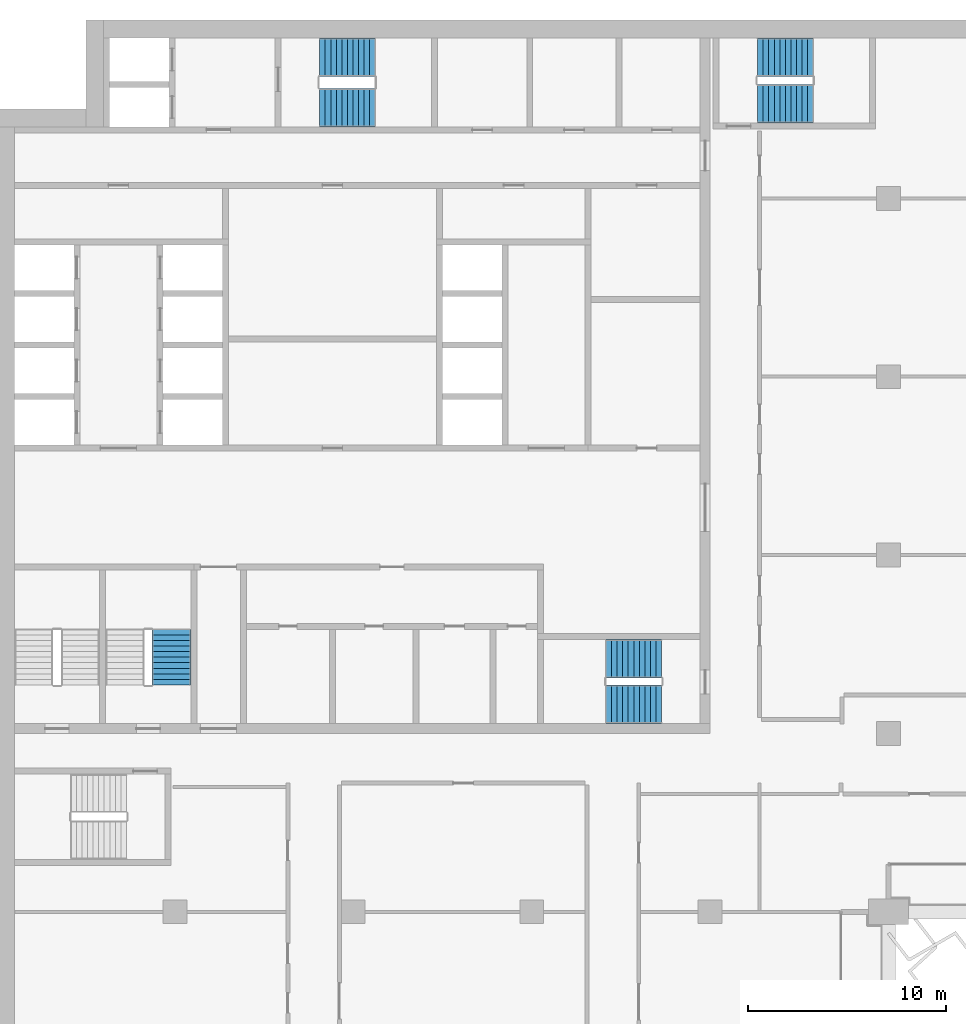
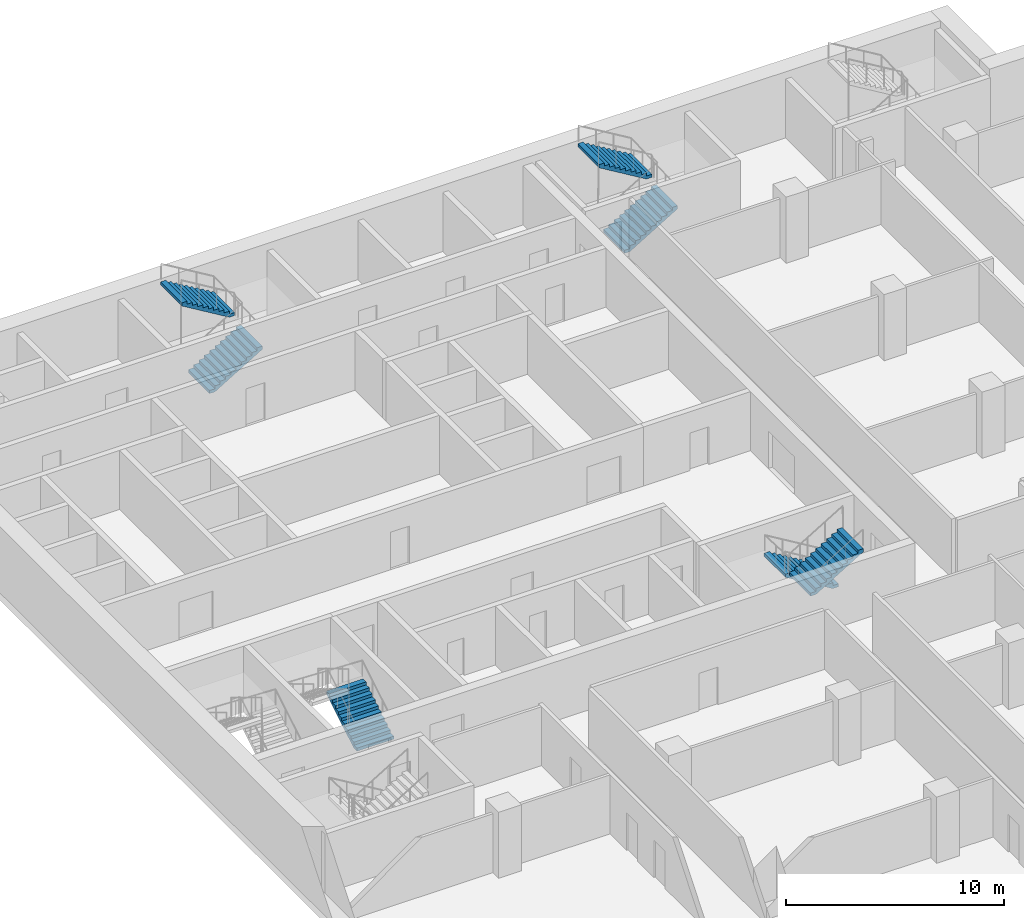
# One storey, part 16 of 22: 7 stair flights, 4 elements without a shape of their own.
"""IFC4 building model written with IfcOpenShell, lengths in metres."""

import ifcopenshell
import ifcopenshell.guid

model = None  # the IFC model being written
_history = None  # IfcOwnerHistory: only IFC2X3 demands one
_inside = {}  # id of a spatial element -> (the spatial element, [elements in it])
_under = {}  # id of a project, library or spatial element -> (it, [spatial elements below it])
_declared = {}  # id of a project -> (the project, [libraries it declares])
_typed = {}  # id of a type object -> (the type object, [elements of that type])
_made_of = {}  # id of a material, layer set ... -> (it, [elements and type objects made of it])


def new_model(schema):
    """Start an empty IFC model of exactly this schema.

    Asked for "IFC4X3", IfcOpenShell would pick the latest addendum, in which some entities
    have other attributes; the version numbers below select the first issue.
    IFC2X3 requires an IfcOwnerHistory on every rooted entity: one is made here for all.
    """
    global model, _history
    if schema == "IFC4X3":
        model = ifcopenshell.file(schema_version=(4, 3, 0, 0))
    else:
        model = ifcopenshell.file(schema=schema)
    _inside.clear()
    _under.clear()
    _declared.clear()
    _typed.clear()
    _made_of.clear()
    _history = None
    if model.schema == "IFC2X3":
        org = make("IfcOrganization", Name="unknown")
        user = make(
            "IfcPersonAndOrganization",
            ThePerson=make("IfcPerson", FamilyName="unknown"),
            TheOrganization=org,
        )
        app = make(
            "IfcApplication",
            ApplicationDeveloper=org,
            Version="unknown",
            ApplicationFullName="unknown",
            ApplicationIdentifier="unknown",
        )
        _history = make(
            "IfcOwnerHistory",
            OwningUser=user,
            OwningApplication=app,
            ChangeAction="ADDED",
            CreationDate=0,
        )
    return model


def make(cls, **values):
    """One entity of the class cls with the attributes given. An attribute that is None is left unset."""
    return model.create_entity(
        cls, **{name: value for name, value in values.items() if value is not None}
    )


def rooted(cls, **values):
    """An entity with a GlobalId (a new one), such as an element, a storey or a relation."""
    return make(cls, GlobalId=ifcopenshell.guid.new(), OwnerHistory=_history, **values)


def si_unit(unit_type, name, prefix=None):
    """IfcSIUnit, for example si_unit("LENGTHUNIT", "METRE", prefix="MILLI")."""
    return make("IfcSIUnit", UnitType=unit_type, Prefix=prefix, Name=name)


def assignment(units):
    """IfcUnitAssignment: the units of a project."""
    return None if units is None else make("IfcUnitAssignment", Units=units)


def point(xyz):
    """IfcCartesianPoint."""
    return None if xyz is None else make("IfcCartesianPoint", Coordinates=xyz)


def direction(xyz):
    """IfcDirection."""
    return None if xyz is None else make("IfcDirection", DirectionRatios=xyz)


def frame(location, z_axis=None, x_axis=None):
    """IfcAxis2Placement3D, a coordinate frame: its origin and axes. An axis left out is left unset."""
    return make(
        "IfcAxis2Placement3D",
        Location=point(location),
        Axis=direction(z_axis),
        RefDirection=direction(x_axis),
    )


def origin():
    """The frame at (0, 0, 0) with its axes left unset."""
    return frame((0.0, 0.0, 0.0))


def place(relative_to, where):
    """IfcLocalPlacement: puts the frame where relative to a parent placement (None: the world)."""
    return make(
        "IfcLocalPlacement", PlacementRelTo=relative_to, RelativePlacement=where
    )


def context(
    kind, dimensions, precision=None, world=None, true_north=None, identifier=None
):
    """IfcGeometricRepresentationContext, for example the 3D "Model" context."""
    return make(
        "IfcGeometricRepresentationContext",
        ContextIdentifier=identifier,
        ContextType=kind,
        CoordinateSpaceDimension=dimensions,
        Precision=precision,
        WorldCoordinateSystem=world,
        TrueNorth=true_north,
    )


def subcontext(parent, identifier, kind, view, scale=None):
    """IfcGeometricRepresentationSubContext, for example "Body" below "Model"."""
    return make(
        "IfcGeometricRepresentationSubContext",
        ContextIdentifier=identifier,
        ContextType=kind,
        ParentContext=parent,
        TargetScale=scale,
        TargetView=view,
    )


def project(units=None, contexts=None):
    """IfcProject with its units and contexts."""
    return rooted(
        "IfcProject",
        Name="project",
        RepresentationContexts=contexts,
        UnitsInContext=assignment(units),
    )


def spatial(cls, under=None, at=None, **own):
    """A site, building, storey or space (cls), placed at a placement, below another one or the project."""
    s = rooted(cls, ObjectPlacement=at, **own)
    if under is not None:
        _under.setdefault(under.id(), (under, []))[1].append(s)
    return s


def polyline(points):
    """IfcPolyline through the points."""
    return make("IfcPolyline", Points=[point(p) for p in points])


def outline(outer, holes=None, kind="AREA"):
    """IfcArbitraryClosedProfileDef: a profile drawn as a closed curve; with holes, ...WithVoids."""
    if holes is None:
        return make("IfcArbitraryClosedProfileDef", ProfileType=kind, OuterCurve=outer)
    return make(
        "IfcArbitraryProfileDefWithVoids",
        ProfileType=kind,
        OuterCurve=outer,
        InnerCurves=holes,
    )


def extrude(swept, where, along, depth):
    """IfcExtrudedAreaSolid: the profile swept, set in the frame where, extruded along a direction by depth."""
    return make(
        "IfcExtrudedAreaSolid",
        SweptArea=swept,
        Position=where,
        ExtrudedDirection=direction(along),
        Depth=depth,
    )


def shape(context_of_items, identifier, shape_type, items):
    """IfcShapeRepresentation: the items that make up one representation, for example the "Body"."""
    return make(
        "IfcShapeRepresentation",
        ContextOfItems=context_of_items,
        RepresentationIdentifier=identifier,
        RepresentationType=shape_type,
        Items=items,
    )


def material(Name=None, Category=None):
    """IfcMaterial."""
    return make("IfcMaterial", Name=Name, Category=Category)


def made_of(thing, what):
    """Note that an element or type object is made of a material, layer set ...; save() writes the relation."""
    if what is not None:
        _made_of.setdefault(what.id(), (what, []))[1].append(thing)
    return thing


def type_object(cls, material=None, **own):
    """A type object (cls), such as IfcWallType, which elements share."""
    return made_of(rooted(cls, **own), material)


def element(
    cls,
    number,
    at=None,
    inside=None,
    cuts=None,
    type_object=None,
    material=None,
    context=None,
    identifier="Body",
    shape_type=None,
    held_by="IfcProductDefinitionShape",
    body=None,
    shapes=None,
    **own,
):
    """One element of the class cls, such as IfcWall. Its Tag is "e" and its number.

    at: its placement. inside: the storey or other place that contains it. cuts: it is an
    opening in that element (IfcRelVoidsElement). A single representation is given by context,
    identifier, shape_type and body (its items); several are given by shapes. held_by: the class
    of the entity that holds the representations. save() writes the other relations.
    """
    e = rooted(cls, Tag="e%d" % number, ObjectPlacement=at, **own)
    if body is not None:
        shapes = [shape(context, identifier, shape_type, body)]
    if shapes is not None:
        e.Representation = make(held_by, Representations=shapes)
    if inside is not None:
        _inside.setdefault(inside.id(), (inside, []))[1].append(e)
    if cuts is not None:
        rooted(
            "IfcRelVoidsElement", RelatingBuildingElement=cuts, RelatedOpeningElement=e
        )
    if type_object is not None:
        _typed.setdefault(type_object.id(), (type_object, []))[1].append(e)
    return made_of(e, material)


def aggregate(whole, parts):
    """IfcRelAggregates: a whole, such as a stair, and the parts it consists of."""
    return rooted("IfcRelAggregates", RelatingObject=whole, RelatedObjects=parts)


def save(model, path):
    """Write the relations noted so far, then the file.

    IfcRelAggregates (storeys below a building ...), IfcRelContainedInSpatialStructure (elements
    in a storey), IfcRelDefinesByType, IfcRelAssociatesMaterial and IfcRelDeclares: one each for
    every whole, place, type object, material and project.
    """
    for whole, parts in _under.values():
        aggregate(whole, parts)
    for where, things in _inside.values():
        rooted(
            "IfcRelContainedInSpatialStructure",
            RelatedElements=things,
            RelatingStructure=where,
        )
    for kind, things in _typed.values():
        rooted("IfcRelDefinesByType", RelatedObjects=things, RelatingType=kind)
    for what, things in _made_of.values():
        rooted("IfcRelAssociatesMaterial", RelatedObjects=things, RelatingMaterial=what)
    for by, libraries in _declared.values():
        rooted("IfcRelDeclares", RelatingContext=by, RelatedDefinitions=libraries)
    model.write(path)


model = new_model("IFC4")

# Units and contexts
model_context = context("Model", 3, precision=1e-05, world=origin(), true_north=direction((0.0, 1.0)))
body_context = subcontext(model_context, "Body", "Model", "MODEL_VIEW")
ifc_project = project(units=[si_unit("LENGTHUNIT", "METRE"), si_unit("AREAUNIT", "SQUARE_METRE"), si_unit("VOLUMEUNIT", "CUBIC_METRE"), si_unit("PLANEANGLEUNIT", "RADIAN"), si_unit("MASSUNIT", "GRAM", prefix="KILO")], contexts=[model_context])

# Site, building, storey
site_placement = place(None, origin())
site = spatial("IfcSite", under=ifc_project, at=site_placement, CompositionType="ELEMENT")
building_placement = place(site_placement, origin())
building = spatial("IfcBuilding", under=site, at=building_placement, Name="Hunhe Ridgeline Campus", CompositionType="ELEMENT")
storey_placement = place(building_placement, frame((0.0, 0.0, 163.39990234375)))
storey = spatial("IfcBuildingStorey", under=building, at=storey_placement, Name="L41", CompositionType="ELEMENT", Elevation=163.39990234375)

# Stair, stair flights
ifc_material = material(Name="Concrete C40", Category="concrete")
stair_type = type_object("IfcStairType", Name="Reinforced concrete dog-leg stair 1950 Concrete C40", PredefinedType="HALF_TURN_STAIR", material=ifc_material)
stair_1_placement = place(storey_placement, origin())
stair_1 = element("IfcStair", 1, at=stair_1_placement, inside=storey, type_object=stair_type, Name="L41 S1", PredefinedType="HALF_TURN_STAIR")
stair_flight_type = type_object("IfcStairFlightType", Name="Reinforced concrete stair flight 1950 Concrete C40", PredefinedType="STRAIGHT", material=ifc_material)
stair_flight_1_placement = place(storey_placement, frame((16.300048828125, 94.574951171875, 0.0), z_axis=(0.0, 0.0, 1.0), x_axis=(1.0, 0.0, 0.0)))
stair_flight_1 = element("IfcStairFlight", 2, at=stair_flight_1_placement, type_object=stair_flight_type, Name="ST1 flight 1", NumberOfRisers=11, NumberOfTreads=10, PredefinedType="STRAIGHT", RiserHeight=0.168181818, TreadLength=0.28, context=body_context, shape_type="SweptSolid", body=[
    extrude(outline(polyline([(0.0, 0.0), (0.0, 0.168212890625), (0.280029296875, 0.168212890625), (0.280029296875, 0.33642578125), (0.56005859375, 0.33642578125), (0.56005859375, 0.504638671875), (0.840087890625, 0.504638671875), (0.840087890625, 0.672607421875), (1.1201171875, 0.672607421875), (1.1201171875, 0.8408203125), (1.39990234375, 0.8408203125), (1.39990234375, 1.009033203125), (1.679931640625, 1.009033203125), (1.679931640625, 1.17724609375), (1.9599609375, 1.17724609375), (1.9599609375, 1.345458984375), (2.239990234375, 1.345458984375), (2.239990234375, 1.513671875), (2.52001953125, 1.513671875), (2.52001953125, 1.681884765625), (2.800048828125, 1.681884765625), (2.800048828125, 1.85009765625), (2.800048828125, 1.5068359375), (0.291015625, 0.0), (0.0, 0.0)])), frame((0.0, 0.97509765625, 0.0), z_axis=(0.0, -1.0, 0.0), x_axis=(1.0, 0.0, 0.0)), (0.0, 0.0, 1.0), 1.949951171875),
    extrude(outline(polyline([(0.030029296875, 0.030029296875), (0.030029296875, 0.13818359375), (0.31005859375, 0.13818359375), (0.31005859375, 0.306396484375), (0.590087890625, 0.306396484375), (0.590087890625, 0.474609375), (0.8701171875, 0.474609375), (0.8701171875, 0.642578125), (1.14990234375, 0.642578125), (1.14990234375, 0.810791015625), (1.429931640625, 0.810791015625), (1.429931640625, 0.97900390625), (1.7099609375, 0.97900390625), (1.7099609375, 1.147216796875), (1.989990234375, 1.147216796875), (1.989990234375, 1.3154296875), (2.27001953125, 1.3154296875), (2.27001953125, 1.483642578125), (2.550048828125, 1.483642578125), (2.550048828125, 1.65185546875), (2.77001953125, 1.65185546875), (2.77001953125, 1.52392578125), (0.28271484375, 0.030029296875), (0.030029296875, 0.030029296875)])), frame((0.0, -0.070068359375, 0.0), z_axis=(0.0, -1.0, 0.0), x_axis=(1.0, 0.0, 0.0)), (0.0, 0.0, 1.0), 0.019775390625),
    extrude(outline(polyline([(0.030029296875, 0.030029296875), (0.030029296875, 0.13818359375), (0.31005859375, 0.13818359375), (0.31005859375, 0.306396484375), (0.590087890625, 0.306396484375), (0.590087890625, 0.474609375), (0.8701171875, 0.474609375), (0.8701171875, 0.642578125), (1.14990234375, 0.642578125), (1.14990234375, 0.810791015625), (1.429931640625, 0.810791015625), (1.429931640625, 0.97900390625), (1.7099609375, 0.97900390625), (1.7099609375, 1.147216796875), (1.989990234375, 1.147216796875), (1.989990234375, 1.3154296875), (2.27001953125, 1.3154296875), (2.27001953125, 1.483642578125), (2.550048828125, 1.483642578125), (2.550048828125, 1.65185546875), (2.77001953125, 1.65185546875), (2.77001953125, 1.52392578125), (0.28271484375, 0.030029296875), (0.030029296875, 0.030029296875)])), frame((0.0, 0.010009765625, 0.0), z_axis=(0.0, -1.0, 0.0), x_axis=(1.0, 0.0, 0.0)), (0.0, 0.0, 1.0), 0.019775390625),
    extrude(outline(polyline([(0.030029296875, 0.030029296875), (0.030029296875, 0.13818359375), (0.31005859375, 0.13818359375), (0.31005859375, 0.306396484375), (0.590087890625, 0.306396484375), (0.590087890625, 0.474609375), (0.8701171875, 0.474609375), (0.8701171875, 0.642578125), (1.14990234375, 0.642578125), (1.14990234375, 0.810791015625), (1.429931640625, 0.810791015625), (1.429931640625, 0.97900390625), (1.7099609375, 0.97900390625), (1.7099609375, 1.147216796875), (1.989990234375, 1.147216796875), (1.989990234375, 1.3154296875), (2.27001953125, 1.3154296875), (2.27001953125, 1.483642578125), (2.550048828125, 1.483642578125), (2.550048828125, 1.65185546875), (2.77001953125, 1.65185546875), (2.77001953125, 1.52392578125), (0.28271484375, 0.030029296875), (0.030029296875, 0.030029296875)])), frame((0.0, 0.090087890625, 0.0), z_axis=(0.0, -1.0, 0.0), x_axis=(1.0, 0.0, 0.0)), (0.0, 0.0, 1.0), 0.019775390625),
])
stair_flight_2_placement = place(storey_placement, frame((19.10009765625, 97.125, 1.85009765625), z_axis=(0.0, 0.0, 1.0), x_axis=(-1.0, 0.0, 0.0)))
stair_flight_2 = element("IfcStairFlight", 3, at=stair_flight_2_placement, type_object=stair_flight_type, Name="ST1 flight 2", NumberOfRisers=11, NumberOfTreads=10, PredefinedType="STRAIGHT", RiserHeight=0.168181818, TreadLength=0.28, context=body_context, shape_type="SweptSolid", body=[
    extrude(outline(polyline([(0.0, 0.0), (0.0, 0.168212890625), (0.280029296875, 0.168212890625), (0.280029296875, 0.33642578125), (0.56005859375, 0.33642578125), (0.56005859375, 0.504638671875), (0.840087890625, 0.504638671875), (0.840087890625, 0.672607421875), (1.1201171875, 0.672607421875), (1.1201171875, 0.8408203125), (1.39990234375, 0.8408203125), (1.39990234375, 1.009033203125), (1.679931640625, 1.009033203125), (1.679931640625, 1.17724609375), (1.9599609375, 1.17724609375), (1.9599609375, 1.345458984375), (2.239990234375, 1.345458984375), (2.239990234375, 1.513671875), (2.52001953125, 1.513671875), (2.52001953125, 1.681884765625), (2.800048828125, 1.681884765625), (2.800048828125, 1.85009765625), (2.800048828125, 1.5068359375), (0.291015625, 0.0), (0.0, 0.0)])), frame((0.0, 0.97509765625, 0.0), z_axis=(0.0, -1.0, 0.0), x_axis=(1.0, 0.0, 0.0)), (0.0, 0.0, 1.0), 1.949951171875),
    extrude(outline(polyline([(0.030029296875, 0.030029296875), (0.030029296875, 0.13818359375), (0.31005859375, 0.13818359375), (0.31005859375, 0.306396484375), (0.590087890625, 0.306396484375), (0.590087890625, 0.474609375), (0.8701171875, 0.474609375), (0.8701171875, 0.642578125), (1.14990234375, 0.642578125), (1.14990234375, 0.810791015625), (1.429931640625, 0.810791015625), (1.429931640625, 0.97900390625), (1.7099609375, 0.97900390625), (1.7099609375, 1.147216796875), (1.989990234375, 1.147216796875), (1.989990234375, 1.3154296875), (2.27001953125, 1.3154296875), (2.27001953125, 1.483642578125), (2.550048828125, 1.483642578125), (2.550048828125, 1.65185546875), (2.77001953125, 1.65185546875), (2.77001953125, 1.52392578125), (0.28271484375, 0.030029296875), (0.030029296875, 0.030029296875)])), frame((0.0, -0.070068359375, 0.0), z_axis=(0.0, -1.0, 0.0), x_axis=(1.0, 0.0, 0.0)), (0.0, 0.0, 1.0), 0.019775390625),
    extrude(outline(polyline([(0.030029296875, 0.030029296875), (0.030029296875, 0.13818359375), (0.31005859375, 0.13818359375), (0.31005859375, 0.306396484375), (0.590087890625, 0.306396484375), (0.590087890625, 0.474609375), (0.8701171875, 0.474609375), (0.8701171875, 0.642578125), (1.14990234375, 0.642578125), (1.14990234375, 0.810791015625), (1.429931640625, 0.810791015625), (1.429931640625, 0.97900390625), (1.7099609375, 0.97900390625), (1.7099609375, 1.147216796875), (1.989990234375, 1.147216796875), (1.989990234375, 1.3154296875), (2.27001953125, 1.3154296875), (2.27001953125, 1.483642578125), (2.550048828125, 1.483642578125), (2.550048828125, 1.65185546875), (2.77001953125, 1.65185546875), (2.77001953125, 1.52392578125), (0.28271484375, 0.030029296875), (0.030029296875, 0.030029296875)])), frame((0.0, 0.010009765625, 0.0), z_axis=(0.0, -1.0, 0.0), x_axis=(1.0, 0.0, 0.0)), (0.0, 0.0, 1.0), 0.019775390625),
    extrude(outline(polyline([(0.030029296875, 0.030029296875), (0.030029296875, 0.13818359375), (0.31005859375, 0.13818359375), (0.31005859375, 0.306396484375), (0.590087890625, 0.306396484375), (0.590087890625, 0.474609375), (0.8701171875, 0.474609375), (0.8701171875, 0.642578125), (1.14990234375, 0.642578125), (1.14990234375, 0.810791015625), (1.429931640625, 0.810791015625), (1.429931640625, 0.97900390625), (1.7099609375, 0.97900390625), (1.7099609375, 1.147216796875), (1.989990234375, 1.147216796875), (1.989990234375, 1.3154296875), (2.27001953125, 1.3154296875), (2.27001953125, 1.483642578125), (2.550048828125, 1.483642578125), (2.550048828125, 1.65185546875), (2.77001953125, 1.65185546875), (2.77001953125, 1.52392578125), (0.28271484375, 0.030029296875), (0.030029296875, 0.030029296875)])), frame((0.0, 0.090087890625, 0.0), z_axis=(0.0, -1.0, 0.0), x_axis=(1.0, 0.0, 0.0)), (0.0, 0.0, 1.0), 0.019775390625),
])
aggregate(stair_1, [stair_flight_1, stair_flight_2])

stair_2_placement = place(storey_placement, origin())
stair_2 = element("IfcStair", 4, at=stair_2_placement, inside=storey, type_object=stair_type, Name="L41 S2", PredefinedType="HALF_TURN_STAIR")
stair_flight_3_placement = place(storey_placement, frame((33.550048828125, 66.77490234375, 0.0), z_axis=(0.0, 0.0, 1.0), x_axis=(-1.0, 0.0, 0.0)))
stair_flight_3 = element("IfcStairFlight", 5, at=stair_flight_3_placement, type_object=stair_flight_type, Name="ST2 flight 1", NumberOfRisers=11, NumberOfTreads=10, PredefinedType="STRAIGHT", RiserHeight=0.168181818, TreadLength=0.28, context=body_context, shape_type="SweptSolid", body=[
    extrude(outline(polyline([(0.0, 0.0), (0.0, 0.168212890625), (0.280029296875, 0.168212890625), (0.280029296875, 0.33642578125), (0.56005859375, 0.33642578125), (0.56005859375, 0.504638671875), (0.840087890625, 0.504638671875), (0.840087890625, 0.672607421875), (1.1201171875, 0.672607421875), (1.1201171875, 0.8408203125), (1.39990234375, 0.8408203125), (1.39990234375, 1.009033203125), (1.679931640625, 1.009033203125), (1.679931640625, 1.17724609375), (1.9599609375, 1.17724609375), (1.9599609375, 1.345458984375), (2.239990234375, 1.345458984375), (2.239990234375, 1.513671875), (2.52001953125, 1.513671875), (2.52001953125, 1.681884765625), (2.800048828125, 1.681884765625), (2.800048828125, 1.85009765625), (2.800048828125, 1.5068359375), (0.291015625, 0.0), (0.0, 0.0)])), frame((0.0, 0.97509765625, 0.0), z_axis=(0.0, -1.0, 0.0), x_axis=(1.0, 0.0, 0.0)), (0.0, 0.0, 1.0), 1.949951171875),
    extrude(outline(polyline([(0.030029296875, 0.030029296875), (0.030029296875, 0.13818359375), (0.31005859375, 0.13818359375), (0.31005859375, 0.306396484375), (0.590087890625, 0.306396484375), (0.590087890625, 0.474609375), (0.8701171875, 0.474609375), (0.8701171875, 0.642578125), (1.14990234375, 0.642578125), (1.14990234375, 0.810791015625), (1.429931640625, 0.810791015625), (1.429931640625, 0.97900390625), (1.7099609375, 0.97900390625), (1.7099609375, 1.147216796875), (1.989990234375, 1.147216796875), (1.989990234375, 1.3154296875), (2.27001953125, 1.3154296875), (2.27001953125, 1.483642578125), (2.550048828125, 1.483642578125), (2.550048828125, 1.65185546875), (2.77001953125, 1.65185546875), (2.77001953125, 1.52392578125), (0.28271484375, 0.030029296875), (0.030029296875, 0.030029296875)])), frame((0.0, -0.070068359375, 0.0), z_axis=(0.0, -1.0, 0.0), x_axis=(1.0, 0.0, 0.0)), (0.0, 0.0, 1.0), 0.019775390625),
    extrude(outline(polyline([(0.030029296875, 0.030029296875), (0.030029296875, 0.13818359375), (0.31005859375, 0.13818359375), (0.31005859375, 0.306396484375), (0.590087890625, 0.306396484375), (0.590087890625, 0.474609375), (0.8701171875, 0.474609375), (0.8701171875, 0.642578125), (1.14990234375, 0.642578125), (1.14990234375, 0.810791015625), (1.429931640625, 0.810791015625), (1.429931640625, 0.97900390625), (1.7099609375, 0.97900390625), (1.7099609375, 1.147216796875), (1.989990234375, 1.147216796875), (1.989990234375, 1.3154296875), (2.27001953125, 1.3154296875), (2.27001953125, 1.483642578125), (2.550048828125, 1.483642578125), (2.550048828125, 1.65185546875), (2.77001953125, 1.65185546875), (2.77001953125, 1.52392578125), (0.28271484375, 0.030029296875), (0.030029296875, 0.030029296875)])), frame((0.0, 0.010009765625, 0.0), z_axis=(0.0, -1.0, 0.0), x_axis=(1.0, 0.0, 0.0)), (0.0, 0.0, 1.0), 0.019775390625),
    extrude(outline(polyline([(0.030029296875, 0.030029296875), (0.030029296875, 0.13818359375), (0.31005859375, 0.13818359375), (0.31005859375, 0.306396484375), (0.590087890625, 0.306396484375), (0.590087890625, 0.474609375), (0.8701171875, 0.474609375), (0.8701171875, 0.642578125), (1.14990234375, 0.642578125), (1.14990234375, 0.810791015625), (1.429931640625, 0.810791015625), (1.429931640625, 0.97900390625), (1.7099609375, 0.97900390625), (1.7099609375, 1.147216796875), (1.989990234375, 1.147216796875), (1.989990234375, 1.3154296875), (2.27001953125, 1.3154296875), (2.27001953125, 1.483642578125), (2.550048828125, 1.483642578125), (2.550048828125, 1.65185546875), (2.77001953125, 1.65185546875), (2.77001953125, 1.52392578125), (0.28271484375, 0.030029296875), (0.030029296875, 0.030029296875)])), frame((0.0, 0.090087890625, 0.0), z_axis=(0.0, -1.0, 0.0), x_axis=(1.0, 0.0, 0.0)), (0.0, 0.0, 1.0), 0.019775390625),
])
stair_flight_4_placement = place(storey_placement, frame((30.75, 64.47509765625, 1.85009765625), z_axis=(0.0, 0.0, 1.0), x_axis=(1.0, 0.0, 0.0)))
stair_flight_4 = element("IfcStairFlight", 6, at=stair_flight_4_placement, type_object=stair_flight_type, Name="ST2 flight 2", NumberOfRisers=11, NumberOfTreads=10, PredefinedType="STRAIGHT", RiserHeight=0.168181818, TreadLength=0.28, context=body_context, shape_type="SweptSolid", body=[
    extrude(outline(polyline([(0.0, 0.0), (0.0, 0.168212890625), (0.280029296875, 0.168212890625), (0.280029296875, 0.33642578125), (0.56005859375, 0.33642578125), (0.56005859375, 0.504638671875), (0.840087890625, 0.504638671875), (0.840087890625, 0.672607421875), (1.1201171875, 0.672607421875), (1.1201171875, 0.8408203125), (1.39990234375, 0.8408203125), (1.39990234375, 1.009033203125), (1.679931640625, 1.009033203125), (1.679931640625, 1.17724609375), (1.9599609375, 1.17724609375), (1.9599609375, 1.345458984375), (2.239990234375, 1.345458984375), (2.239990234375, 1.513671875), (2.52001953125, 1.513671875), (2.52001953125, 1.681884765625), (2.800048828125, 1.681884765625), (2.800048828125, 1.85009765625), (2.800048828125, 1.5068359375), (0.291015625, 0.0), (0.0, 0.0)])), frame((0.0, 0.97509765625, 0.0), z_axis=(0.0, -1.0, 0.0), x_axis=(1.0, 0.0, 0.0)), (0.0, 0.0, 1.0), 1.949951171875),
    extrude(outline(polyline([(0.030029296875, 0.030029296875), (0.030029296875, 0.13818359375), (0.31005859375, 0.13818359375), (0.31005859375, 0.306396484375), (0.590087890625, 0.306396484375), (0.590087890625, 0.474609375), (0.8701171875, 0.474609375), (0.8701171875, 0.642578125), (1.14990234375, 0.642578125), (1.14990234375, 0.810791015625), (1.429931640625, 0.810791015625), (1.429931640625, 0.97900390625), (1.7099609375, 0.97900390625), (1.7099609375, 1.147216796875), (1.989990234375, 1.147216796875), (1.989990234375, 1.3154296875), (2.27001953125, 1.3154296875), (2.27001953125, 1.483642578125), (2.550048828125, 1.483642578125), (2.550048828125, 1.65185546875), (2.77001953125, 1.65185546875), (2.77001953125, 1.52392578125), (0.28271484375, 0.030029296875), (0.030029296875, 0.030029296875)])), frame((0.0, -0.070068359375, 0.0), z_axis=(0.0, -1.0, 0.0), x_axis=(1.0, 0.0, 0.0)), (0.0, 0.0, 1.0), 0.019775390625),
    extrude(outline(polyline([(0.030029296875, 0.030029296875), (0.030029296875, 0.13818359375), (0.31005859375, 0.13818359375), (0.31005859375, 0.306396484375), (0.590087890625, 0.306396484375), (0.590087890625, 0.474609375), (0.8701171875, 0.474609375), (0.8701171875, 0.642578125), (1.14990234375, 0.642578125), (1.14990234375, 0.810791015625), (1.429931640625, 0.810791015625), (1.429931640625, 0.97900390625), (1.7099609375, 0.97900390625), (1.7099609375, 1.147216796875), (1.989990234375, 1.147216796875), (1.989990234375, 1.3154296875), (2.27001953125, 1.3154296875), (2.27001953125, 1.483642578125), (2.550048828125, 1.483642578125), (2.550048828125, 1.65185546875), (2.77001953125, 1.65185546875), (2.77001953125, 1.52392578125), (0.28271484375, 0.030029296875), (0.030029296875, 0.030029296875)])), frame((0.0, 0.010009765625, 0.0), z_axis=(0.0, -1.0, 0.0), x_axis=(1.0, 0.0, 0.0)), (0.0, 0.0, 1.0), 0.019775390625),
    extrude(outline(polyline([(0.030029296875, 0.030029296875), (0.030029296875, 0.13818359375), (0.31005859375, 0.13818359375), (0.31005859375, 0.306396484375), (0.590087890625, 0.306396484375), (0.590087890625, 0.474609375), (0.8701171875, 0.474609375), (0.8701171875, 0.642578125), (1.14990234375, 0.642578125), (1.14990234375, 0.810791015625), (1.429931640625, 0.810791015625), (1.429931640625, 0.97900390625), (1.7099609375, 0.97900390625), (1.7099609375, 1.147216796875), (1.989990234375, 1.147216796875), (1.989990234375, 1.3154296875), (2.27001953125, 1.3154296875), (2.27001953125, 1.483642578125), (2.550048828125, 1.483642578125), (2.550048828125, 1.65185546875), (2.77001953125, 1.65185546875), (2.77001953125, 1.52392578125), (0.28271484375, 0.030029296875), (0.030029296875, 0.030029296875)])), frame((0.0, 0.090087890625, 0.0), z_axis=(0.0, -1.0, 0.0), x_axis=(1.0, 0.0, 0.0)), (0.0, 0.0, 1.0), 0.019775390625),
])
aggregate(stair_2, [stair_flight_3, stair_flight_4])

# Stair, stair flight
stair_3_placement = place(storey_placement, origin())
stair_3 = element("IfcStair", 7, at=stair_3_placement, inside=storey, type_object=stair_type, Name="L41 S4", PredefinedType="HALF_TURN_STAIR")
stair_flight_5_placement = place(storey_placement, frame((8.824951171875, 65.449951171875, 0.0), z_axis=(0.0, 0.0, 1.0), x_axis=(0.0, 1.0, 0.0)))
stair_flight_5 = element("IfcStairFlight", 8, at=stair_flight_5_placement, type_object=stair_flight_type, Name="ST4 flight 1", NumberOfRisers=11, NumberOfTreads=10, PredefinedType="STRAIGHT", RiserHeight=0.168181818, TreadLength=0.28, context=body_context, shape_type="SweptSolid", body=[
    extrude(outline(polyline([(0.0, 0.0), (0.0, 0.168212890625), (0.280029296875, 0.168212890625), (0.280029296875, 0.33642578125), (0.56005859375, 0.33642578125), (0.56005859375, 0.504638671875), (0.840087890625, 0.504638671875), (0.840087890625, 0.672607421875), (1.1201171875, 0.672607421875), (1.1201171875, 0.8408203125), (1.39990234375, 0.8408203125), (1.39990234375, 1.009033203125), (1.679931640625, 1.009033203125), (1.679931640625, 1.17724609375), (1.9599609375, 1.17724609375), (1.9599609375, 1.345458984375), (2.239990234375, 1.345458984375), (2.239990234375, 1.513671875), (2.52001953125, 1.513671875), (2.52001953125, 1.681884765625), (2.800048828125, 1.681884765625), (2.800048828125, 1.85009765625), (2.800048828125, 1.5068359375), (0.291015625, 0.0), (0.0, 0.0)])), frame((0.0, 0.97509765625, 0.0), z_axis=(0.0, -1.0, 0.0), x_axis=(1.0, 0.0, 0.0)), (0.0, 0.0, 1.0), 1.949951171875),
    extrude(outline(polyline([(0.030029296875, 0.030029296875), (0.030029296875, 0.13818359375), (0.31005859375, 0.13818359375), (0.31005859375, 0.306396484375), (0.590087890625, 0.306396484375), (0.590087890625, 0.474609375), (0.8701171875, 0.474609375), (0.8701171875, 0.642578125), (1.14990234375, 0.642578125), (1.14990234375, 0.810791015625), (1.429931640625, 0.810791015625), (1.429931640625, 0.97900390625), (1.7099609375, 0.97900390625), (1.7099609375, 1.147216796875), (1.989990234375, 1.147216796875), (1.989990234375, 1.3154296875), (2.27001953125, 1.3154296875), (2.27001953125, 1.483642578125), (2.550048828125, 1.483642578125), (2.550048828125, 1.65185546875), (2.77001953125, 1.65185546875), (2.77001953125, 1.52392578125), (0.28271484375, 0.030029296875), (0.030029296875, 0.030029296875)])), frame((0.0, -0.070068359375, 0.0), z_axis=(0.0, -1.0, 0.0), x_axis=(1.0, 0.0, 0.0)), (0.0, 0.0, 1.0), 0.019775390625),
    extrude(outline(polyline([(0.030029296875, 0.030029296875), (0.030029296875, 0.13818359375), (0.31005859375, 0.13818359375), (0.31005859375, 0.306396484375), (0.590087890625, 0.306396484375), (0.590087890625, 0.474609375), (0.8701171875, 0.474609375), (0.8701171875, 0.642578125), (1.14990234375, 0.642578125), (1.14990234375, 0.810791015625), (1.429931640625, 0.810791015625), (1.429931640625, 0.97900390625), (1.7099609375, 0.97900390625), (1.7099609375, 1.147216796875), (1.989990234375, 1.147216796875), (1.989990234375, 1.3154296875), (2.27001953125, 1.3154296875), (2.27001953125, 1.483642578125), (2.550048828125, 1.483642578125), (2.550048828125, 1.65185546875), (2.77001953125, 1.65185546875), (2.77001953125, 1.52392578125), (0.28271484375, 0.030029296875), (0.030029296875, 0.030029296875)])), frame((0.0, 0.010009765625, 0.0), z_axis=(0.0, -1.0, 0.0), x_axis=(1.0, 0.0, 0.0)), (0.0, 0.0, 1.0), 0.019775390625),
    extrude(outline(polyline([(0.030029296875, 0.030029296875), (0.030029296875, 0.13818359375), (0.31005859375, 0.13818359375), (0.31005859375, 0.306396484375), (0.590087890625, 0.306396484375), (0.590087890625, 0.474609375), (0.8701171875, 0.474609375), (0.8701171875, 0.642578125), (1.14990234375, 0.642578125), (1.14990234375, 0.810791015625), (1.429931640625, 0.810791015625), (1.429931640625, 0.97900390625), (1.7099609375, 0.97900390625), (1.7099609375, 1.147216796875), (1.989990234375, 1.147216796875), (1.989990234375, 1.3154296875), (2.27001953125, 1.3154296875), (2.27001953125, 1.483642578125), (2.550048828125, 1.483642578125), (2.550048828125, 1.65185546875), (2.77001953125, 1.65185546875), (2.77001953125, 1.52392578125), (0.28271484375, 0.030029296875), (0.030029296875, 0.030029296875)])), frame((0.0, 0.090087890625, 0.0), z_axis=(0.0, -1.0, 0.0), x_axis=(1.0, 0.0, 0.0)), (0.0, 0.0, 1.0), 0.019775390625),
])
aggregate(stair_3, [stair_flight_5])

# Stair, stair flights
stair_4_placement = place(storey_placement, origin())
stair_4 = element("IfcStair", 9, at=stair_4_placement, inside=storey, type_object=stair_type, Name="L41 E1", PredefinedType="HALF_TURN_STAIR")
stair_flight_6_placement = place(storey_placement, frame((38.39990234375, 94.77490234375, 0.0), z_axis=(0.0, 0.0, 1.0), x_axis=(1.0, 0.0, 0.0)))
stair_flight_6 = element("IfcStairFlight", 10, at=stair_flight_6_placement, type_object=stair_flight_type, Name="ST5 flight 1", NumberOfRisers=11, NumberOfTreads=10, PredefinedType="STRAIGHT", RiserHeight=0.168181818, TreadLength=0.28, context=body_context, shape_type="SweptSolid", body=[
    extrude(outline(polyline([(0.0, 0.0), (0.0, 0.168212890625), (0.280029296875, 0.168212890625), (0.280029296875, 0.33642578125), (0.56005859375, 0.33642578125), (0.56005859375, 0.504638671875), (0.840087890625, 0.504638671875), (0.840087890625, 0.672607421875), (1.1201171875, 0.672607421875), (1.1201171875, 0.8408203125), (1.39990234375, 0.8408203125), (1.39990234375, 1.009033203125), (1.679931640625, 1.009033203125), (1.679931640625, 1.17724609375), (1.9599609375, 1.17724609375), (1.9599609375, 1.345458984375), (2.239990234375, 1.345458984375), (2.239990234375, 1.513671875), (2.52001953125, 1.513671875), (2.52001953125, 1.681884765625), (2.800048828125, 1.681884765625), (2.800048828125, 1.85009765625), (2.800048828125, 1.5068359375), (0.291015625, 0.0), (0.0, 0.0)])), frame((0.0, 0.97509765625, 0.0), z_axis=(0.0, -1.0, 0.0), x_axis=(1.0, 0.0, 0.0)), (0.0, 0.0, 1.0), 1.949951171875),
    extrude(outline(polyline([(0.030029296875, 0.030029296875), (0.030029296875, 0.13818359375), (0.31005859375, 0.13818359375), (0.31005859375, 0.306396484375), (0.590087890625, 0.306396484375), (0.590087890625, 0.474609375), (0.8701171875, 0.474609375), (0.8701171875, 0.642578125), (1.14990234375, 0.642578125), (1.14990234375, 0.810791015625), (1.429931640625, 0.810791015625), (1.429931640625, 0.97900390625), (1.7099609375, 0.97900390625), (1.7099609375, 1.147216796875), (1.989990234375, 1.147216796875), (1.989990234375, 1.3154296875), (2.27001953125, 1.3154296875), (2.27001953125, 1.483642578125), (2.550048828125, 1.483642578125), (2.550048828125, 1.65185546875), (2.77001953125, 1.65185546875), (2.77001953125, 1.52392578125), (0.28271484375, 0.030029296875), (0.030029296875, 0.030029296875)])), frame((0.0, -0.070068359375, 0.0), z_axis=(0.0, -1.0, 0.0), x_axis=(1.0, 0.0, 0.0)), (0.0, 0.0, 1.0), 0.019775390625),
    extrude(outline(polyline([(0.030029296875, 0.030029296875), (0.030029296875, 0.13818359375), (0.31005859375, 0.13818359375), (0.31005859375, 0.306396484375), (0.590087890625, 0.306396484375), (0.590087890625, 0.474609375), (0.8701171875, 0.474609375), (0.8701171875, 0.642578125), (1.14990234375, 0.642578125), (1.14990234375, 0.810791015625), (1.429931640625, 0.810791015625), (1.429931640625, 0.97900390625), (1.7099609375, 0.97900390625), (1.7099609375, 1.147216796875), (1.989990234375, 1.147216796875), (1.989990234375, 1.3154296875), (2.27001953125, 1.3154296875), (2.27001953125, 1.483642578125), (2.550048828125, 1.483642578125), (2.550048828125, 1.65185546875), (2.77001953125, 1.65185546875), (2.77001953125, 1.52392578125), (0.28271484375, 0.030029296875), (0.030029296875, 0.030029296875)])), frame((0.0, 0.010009765625, 0.0), z_axis=(0.0, -1.0, 0.0), x_axis=(1.0, 0.0, 0.0)), (0.0, 0.0, 1.0), 0.019775390625),
    extrude(outline(polyline([(0.030029296875, 0.030029296875), (0.030029296875, 0.13818359375), (0.31005859375, 0.13818359375), (0.31005859375, 0.306396484375), (0.590087890625, 0.306396484375), (0.590087890625, 0.474609375), (0.8701171875, 0.474609375), (0.8701171875, 0.642578125), (1.14990234375, 0.642578125), (1.14990234375, 0.810791015625), (1.429931640625, 0.810791015625), (1.429931640625, 0.97900390625), (1.7099609375, 0.97900390625), (1.7099609375, 1.147216796875), (1.989990234375, 1.147216796875), (1.989990234375, 1.3154296875), (2.27001953125, 1.3154296875), (2.27001953125, 1.483642578125), (2.550048828125, 1.483642578125), (2.550048828125, 1.65185546875), (2.77001953125, 1.65185546875), (2.77001953125, 1.52392578125), (0.28271484375, 0.030029296875), (0.030029296875, 0.030029296875)])), frame((0.0, 0.090087890625, 0.0), z_axis=(0.0, -1.0, 0.0), x_axis=(1.0, 0.0, 0.0)), (0.0, 0.0, 1.0), 0.019775390625),
])
stair_flight_7_placement = place(storey_placement, frame((41.199951171875, 97.125, 1.85009765625), z_axis=(0.0, 0.0, 1.0), x_axis=(-1.0, 0.0, 0.0)))
stair_flight_7 = element("IfcStairFlight", 11, at=stair_flight_7_placement, type_object=stair_flight_type, Name="ST5 flight 2", NumberOfRisers=11, NumberOfTreads=10, PredefinedType="STRAIGHT", RiserHeight=0.168181818, TreadLength=0.28, context=body_context, shape_type="SweptSolid", body=[
    extrude(outline(polyline([(0.0, 0.0), (0.0, 0.168212890625), (0.280029296875, 0.168212890625), (0.280029296875, 0.33642578125), (0.56005859375, 0.33642578125), (0.56005859375, 0.504638671875), (0.840087890625, 0.504638671875), (0.840087890625, 0.672607421875), (1.1201171875, 0.672607421875), (1.1201171875, 0.8408203125), (1.39990234375, 0.8408203125), (1.39990234375, 1.009033203125), (1.679931640625, 1.009033203125), (1.679931640625, 1.17724609375), (1.9599609375, 1.17724609375), (1.9599609375, 1.345458984375), (2.239990234375, 1.345458984375), (2.239990234375, 1.513671875), (2.52001953125, 1.513671875), (2.52001953125, 1.681884765625), (2.800048828125, 1.681884765625), (2.800048828125, 1.85009765625), (2.800048828125, 1.5068359375), (0.291015625, 0.0), (0.0, 0.0)])), frame((0.0, 0.97509765625, 0.0), z_axis=(0.0, -1.0, 0.0), x_axis=(1.0, 0.0, 0.0)), (0.0, 0.0, 1.0), 1.949951171875),
    extrude(outline(polyline([(0.030029296875, 0.030029296875), (0.030029296875, 0.13818359375), (0.31005859375, 0.13818359375), (0.31005859375, 0.306396484375), (0.590087890625, 0.306396484375), (0.590087890625, 0.474609375), (0.8701171875, 0.474609375), (0.8701171875, 0.642578125), (1.14990234375, 0.642578125), (1.14990234375, 0.810791015625), (1.429931640625, 0.810791015625), (1.429931640625, 0.97900390625), (1.7099609375, 0.97900390625), (1.7099609375, 1.147216796875), (1.989990234375, 1.147216796875), (1.989990234375, 1.3154296875), (2.27001953125, 1.3154296875), (2.27001953125, 1.483642578125), (2.550048828125, 1.483642578125), (2.550048828125, 1.65185546875), (2.77001953125, 1.65185546875), (2.77001953125, 1.52392578125), (0.28271484375, 0.030029296875), (0.030029296875, 0.030029296875)])), frame((0.0, -0.070068359375, 0.0), z_axis=(0.0, -1.0, 0.0), x_axis=(1.0, 0.0, 0.0)), (0.0, 0.0, 1.0), 0.019775390625),
    extrude(outline(polyline([(0.030029296875, 0.030029296875), (0.030029296875, 0.13818359375), (0.31005859375, 0.13818359375), (0.31005859375, 0.306396484375), (0.590087890625, 0.306396484375), (0.590087890625, 0.474609375), (0.8701171875, 0.474609375), (0.8701171875, 0.642578125), (1.14990234375, 0.642578125), (1.14990234375, 0.810791015625), (1.429931640625, 0.810791015625), (1.429931640625, 0.97900390625), (1.7099609375, 0.97900390625), (1.7099609375, 1.147216796875), (1.989990234375, 1.147216796875), (1.989990234375, 1.3154296875), (2.27001953125, 1.3154296875), (2.27001953125, 1.483642578125), (2.550048828125, 1.483642578125), (2.550048828125, 1.65185546875), (2.77001953125, 1.65185546875), (2.77001953125, 1.52392578125), (0.28271484375, 0.030029296875), (0.030029296875, 0.030029296875)])), frame((0.0, 0.010009765625, 0.0), z_axis=(0.0, -1.0, 0.0), x_axis=(1.0, 0.0, 0.0)), (0.0, 0.0, 1.0), 0.019775390625),
    extrude(outline(polyline([(0.030029296875, 0.030029296875), (0.030029296875, 0.13818359375), (0.31005859375, 0.13818359375), (0.31005859375, 0.306396484375), (0.590087890625, 0.306396484375), (0.590087890625, 0.474609375), (0.8701171875, 0.474609375), (0.8701171875, 0.642578125), (1.14990234375, 0.642578125), (1.14990234375, 0.810791015625), (1.429931640625, 0.810791015625), (1.429931640625, 0.97900390625), (1.7099609375, 0.97900390625), (1.7099609375, 1.147216796875), (1.989990234375, 1.147216796875), (1.989990234375, 1.3154296875), (2.27001953125, 1.3154296875), (2.27001953125, 1.483642578125), (2.550048828125, 1.483642578125), (2.550048828125, 1.65185546875), (2.77001953125, 1.65185546875), (2.77001953125, 1.52392578125), (0.28271484375, 0.030029296875), (0.030029296875, 0.030029296875)])), frame((0.0, 0.090087890625, 0.0), z_axis=(0.0, -1.0, 0.0), x_axis=(1.0, 0.0, 0.0)), (0.0, 0.0, 1.0), 0.019775390625),
])
aggregate(stair_4, [stair_flight_6, stair_flight_7])

save(model, "model.ifc")
